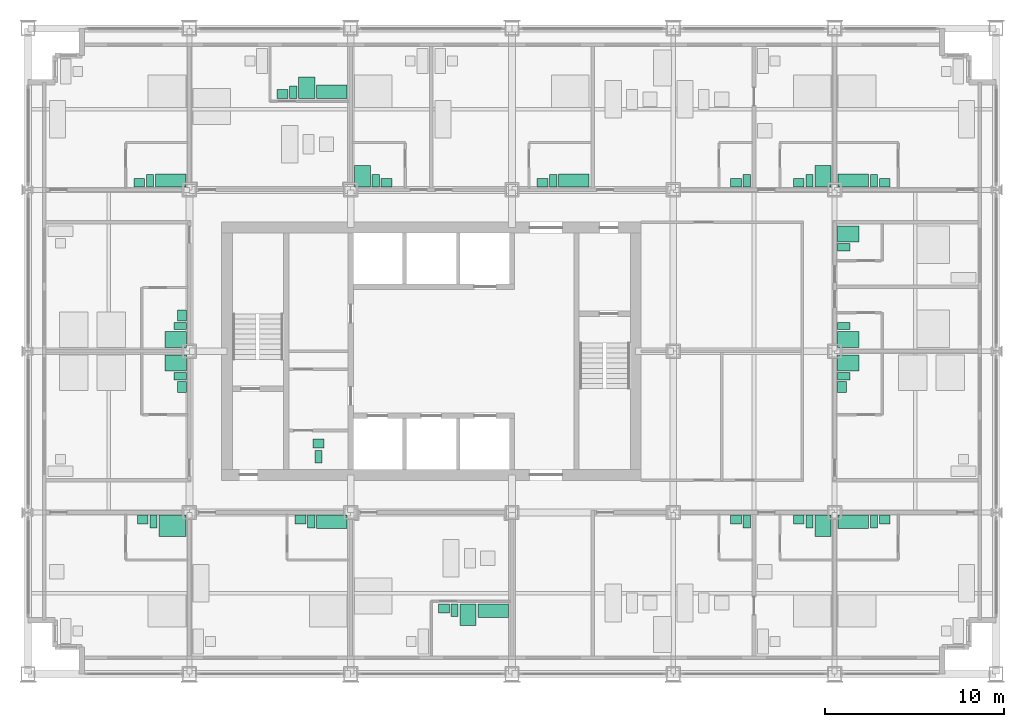
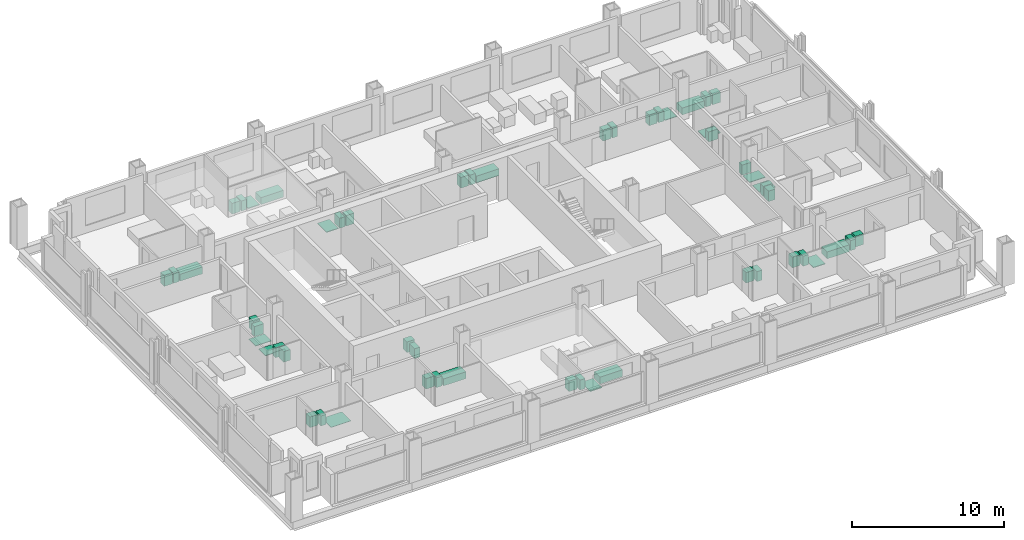
# One storey, part 17 of 18: 54 sanitary terminals.
"""IFC4 building model written with IfcOpenShell, lengths in metres."""

from ifc_helpers import new_model, si_unit, direction, frame, origin, origin_2d, place, context, subcontext, project, spatial, rectangle, extrude, element, save


model = new_model("IFC4")

# Units and contexts
model_context = context("Model", 3, precision=1e-05, world=origin(), true_north=direction((0.0, 1.0)))
body_context = subcontext(model_context, "Body", "Model", "MODEL_VIEW")
ifc_project = project(units=[si_unit("LENGTHUNIT", "METRE"), si_unit("AREAUNIT", "SQUARE_METRE"), si_unit("VOLUMEUNIT", "CUBIC_METRE"), si_unit("PLANEANGLEUNIT", "RADIAN"), si_unit("MASSUNIT", "GRAM", prefix="KILO")], contexts=[model_context])

# Site, building, storey
site_placement = place(None, origin())
site = spatial("IfcSite", under=ifc_project, at=site_placement, CompositionType="ELEMENT")
building_placement = place(site_placement, origin())
building = spatial("IfcBuilding", under=site, at=building_placement, Name="Loomwork Tower", CompositionType="ELEMENT")
storey_placement = place(building_placement, frame((0.0, 0.0, 72.199951171875)))
storey = spatial("IfcBuildingStorey", under=building, at=storey_placement, Name="L18", CompositionType="ELEMENT", Elevation=72.199951171875)

# Sanitary terminals
sanitary_terminal_1_placement = place(storey_placement, frame((8.050048828125, 8.25, 0.0), z_axis=(0.0, 0.0, 1.0), x_axis=(1.0, 0.0, 0.0)))
element("IfcSanitaryTerminal", 1, at=sanitary_terminal_1_placement, inside=storey, Name="Roll-in shower floor L18", PredefinedType="SHOWER", context=body_context, shape_type="SweptSolid", body=[
    extrude(rectangle(XDim=1.5, YDim=1.199951171875, at=origin_2d()), origin(), (0.0, 0.0, 1.0), 0.030029296875),
])
sanitary_terminal_2_placement = place(storey_placement, frame((7.0, 8.5, 0.0), z_axis=(0.0, 0.0, 1.0), x_axis=(1.0, 0.0, 0.0)))
element("IfcSanitaryTerminal", 2, at=sanitary_terminal_2_placement, inside=storey, Name="WC L18", PredefinedType="TOILETPAN", context=body_context, shape_type="SweptSolid", body=[
    extrude(rectangle(XDim=0.39990234375, YDim=0.699951171875, at=origin_2d()), origin(), (0.0, 0.0, 1.0), 0.800048828125),
])
sanitary_terminal_3_placement = place(storey_placement, frame((6.39990234375, 8.60009765625, 0.0), z_axis=(0.0, 0.0, 1.0), x_axis=(1.0, 0.0, 0.0)))
element("IfcSanitaryTerminal", 3, at=sanitary_terminal_3_placement, inside=storey, Name="Basin vanity L18", PredefinedType="WASHHANDBASIN", context=body_context, shape_type="SweptSolid", body=[
    extrude(rectangle(XDim=0.60009765625, YDim=0.5, at=origin_2d()), origin(), (0.0, 0.0, 1.0), 0.85009765625),
])
sanitary_terminal_4_placement = place(storey_placement, frame((16.949951171875, 8.47509765625, 0.0), z_axis=(0.0, 0.0, 1.0), x_axis=(1.0, 0.0, 0.0)))
element("IfcSanitaryTerminal", 4, at=sanitary_terminal_4_placement, inside=storey, Name="Bath L18", PredefinedType="BATH", context=body_context, shape_type="SweptSolid", body=[
    extrude(rectangle(XDim=1.699951171875, YDim=0.75, at=origin_2d()), origin(), (0.0, 0.0, 1.0), 0.550048828125),
])
sanitary_terminal_5_placement = place(storey_placement, frame((15.800048828125, 8.5, 0.0), z_axis=(0.0, 0.0, 1.0), x_axis=(1.0, 0.0, 0.0)))
element("IfcSanitaryTerminal", 5, at=sanitary_terminal_5_placement, inside=storey, Name="WC L18", PredefinedType="TOILETPAN", context=body_context, shape_type="SweptSolid", body=[
    extrude(rectangle(XDim=0.39990234375, YDim=0.699951171875, at=origin_2d()), origin(), (0.0, 0.0, 1.0), 0.800048828125),
])
sanitary_terminal_6_placement = place(storey_placement, frame((15.199951171875, 8.60009765625, 0.0), z_axis=(0.0, 0.0, 1.0), x_axis=(1.0, 0.0, 0.0)))
element("IfcSanitaryTerminal", 6, at=sanitary_terminal_6_placement, inside=storey, Name="Basin vanity L18", PredefinedType="WASHHANDBASIN", context=body_context, shape_type="SweptSolid", body=[
    extrude(rectangle(XDim=0.60009765625, YDim=0.5, at=origin_2d()), origin(), (0.0, 0.0, 1.0), 0.85009765625),
])
sanitary_terminal_7_placement = place(storey_placement, frame((25.949951171875, 3.52490234375, 0.0), z_axis=(0.0, 0.0, 1.0), x_axis=(1.0, 0.0, 0.0)))
element("IfcSanitaryTerminal", 7, at=sanitary_terminal_7_placement, inside=storey, Name="Bath L18", PredefinedType="BATH", context=body_context, shape_type="SweptSolid", body=[
    extrude(rectangle(XDim=1.699951171875, YDim=0.75, at=origin_2d()), origin(), (0.0, 0.0, 1.0), 0.550048828125),
])
sanitary_terminal_8_placement = place(storey_placement, frame((24.550048828125, 3.300048828125, 0.0), z_axis=(0.0, 0.0, 1.0), x_axis=(1.0, 0.0, 0.0)))
element("IfcSanitaryTerminal", 8, at=sanitary_terminal_8_placement, inside=storey, Name="Shower tray L18", PredefinedType="SHOWER", context=body_context, shape_type="SweptSolid", body=[
    extrude(rectangle(XDim=0.89990234375, YDim=1.199951171875, at=origin_2d()), origin(), (0.0, 0.0, 1.0), 0.050048828125),
])
sanitary_terminal_9_placement = place(storey_placement, frame((23.800048828125, 3.550048828125, 0.0), z_axis=(0.0, 0.0, 1.0), x_axis=(1.0, 0.0, 0.0)))
element("IfcSanitaryTerminal", 9, at=sanitary_terminal_9_placement, inside=storey, Name="WC L18", PredefinedType="TOILETPAN", context=body_context, shape_type="SweptSolid", body=[
    extrude(rectangle(XDim=0.39990234375, YDim=0.699951171875, at=origin_2d()), origin(), (0.0, 0.0, 1.0), 0.800048828125),
])
sanitary_terminal_10_placement = place(storey_placement, frame((23.199951171875, 3.64990234375, 0.0), z_axis=(0.0, 0.0, 1.0), x_axis=(1.0, 0.0, 0.0)))
element("IfcSanitaryTerminal", 10, at=sanitary_terminal_10_placement, inside=storey, Name="Basin vanity L18", PredefinedType="WASHHANDBASIN", context=body_context, shape_type="SweptSolid", body=[
    extrude(rectangle(XDim=0.60009765625, YDim=0.5, at=origin_2d()), origin(), (0.0, 0.0, 1.0), 0.85009765625),
])
sanitary_terminal_11_placement = place(storey_placement, frame((40.10009765625, 8.5, 0.0), z_axis=(0.0, 0.0, 1.0), x_axis=(1.0, 0.0, 0.0)))
element("IfcSanitaryTerminal", 11, at=sanitary_terminal_11_placement, inside=storey, Name="WC L18", PredefinedType="TOILETPAN", context=body_context, shape_type="SweptSolid", body=[
    extrude(rectangle(XDim=0.39990234375, YDim=0.699951171875, at=origin_2d()), origin(), (0.0, 0.0, 1.0), 0.800048828125),
])
sanitary_terminal_12_placement = place(storey_placement, frame((39.5, 8.60009765625, 0.0), z_axis=(0.0, 0.0, 1.0), x_axis=(1.0, 0.0, 0.0)))
element("IfcSanitaryTerminal", 12, at=sanitary_terminal_12_placement, inside=storey, Name="Basin vanity L18", PredefinedType="WASHHANDBASIN", context=body_context, shape_type="SweptSolid", body=[
    extrude(rectangle(XDim=0.60009765625, YDim=0.5, at=origin_2d()), origin(), (0.0, 0.0, 1.0), 0.85009765625),
])
sanitary_terminal_13_placement = place(storey_placement, frame((44.35009765625, 8.25, 0.0), z_axis=(0.0, 0.0, 1.0), x_axis=(1.0, 0.0, 0.0)))
element("IfcSanitaryTerminal", 13, at=sanitary_terminal_13_placement, inside=storey, Name="Shower tray L18", PredefinedType="SHOWER", context=body_context, shape_type="SweptSolid", body=[
    extrude(rectangle(XDim=0.89990234375, YDim=1.199951171875, at=origin_2d()), origin(), (0.0, 0.0, 1.0), 0.050048828125),
])
sanitary_terminal_14_placement = place(storey_placement, frame((43.60009765625, 8.5, 0.0), z_axis=(0.0, 0.0, 1.0), x_axis=(1.0, 0.0, 0.0)))
element("IfcSanitaryTerminal", 14, at=sanitary_terminal_14_placement, inside=storey, Name="WC L18", PredefinedType="TOILETPAN", context=body_context, shape_type="SweptSolid", body=[
    extrude(rectangle(XDim=0.39990234375, YDim=0.699951171875, at=origin_2d()), origin(), (0.0, 0.0, 1.0), 0.800048828125),
])
sanitary_terminal_15_placement = place(storey_placement, frame((43.0, 8.60009765625, 0.0), z_axis=(0.0, 0.0, 1.0), x_axis=(1.0, 0.0, 0.0)))
element("IfcSanitaryTerminal", 15, at=sanitary_terminal_15_placement, inside=storey, Name="Basin vanity L18", PredefinedType="WASHHANDBASIN", context=body_context, shape_type="SweptSolid", body=[
    extrude(rectangle(XDim=0.60009765625, YDim=0.5, at=origin_2d()), origin(), (0.0, 0.0, 1.0), 0.85009765625),
])
sanitary_terminal_16_placement = place(storey_placement, frame((46.050048828125, 8.47509765625, 0.0), z_axis=(0.0, 0.0, 1.0), x_axis=(1.0, 0.0, 0.0)))
element("IfcSanitaryTerminal", 16, at=sanitary_terminal_16_placement, inside=storey, Name="Bath L18", PredefinedType="BATH", context=body_context, shape_type="SweptSolid", body=[
    extrude(rectangle(XDim=1.699951171875, YDim=0.75, at=origin_2d()), origin(), (0.0, 0.0, 1.0), 0.550048828125),
])
sanitary_terminal_17_placement = place(storey_placement, frame((47.199951171875, 8.5, 0.0), z_axis=(0.0, 0.0, 1.0), x_axis=(1.0, 0.0, 0.0)))
element("IfcSanitaryTerminal", 17, at=sanitary_terminal_17_placement, inside=storey, Name="WC L18", PredefinedType="TOILETPAN", context=body_context, shape_type="SweptSolid", body=[
    extrude(rectangle(XDim=0.39990234375, YDim=0.699951171875, at=origin_2d()), origin(), (0.0, 0.0, 1.0), 0.800048828125),
])
sanitary_terminal_18_placement = place(storey_placement, frame((47.800048828125, 8.60009765625, 0.0), z_axis=(0.0, 0.0, 1.0), x_axis=(1.0, 0.0, 0.0)))
element("IfcSanitaryTerminal", 18, at=sanitary_terminal_18_placement, inside=storey, Name="Basin vanity L18", PredefinedType="WASHHANDBASIN", context=body_context, shape_type="SweptSolid", body=[
    extrude(rectangle(XDim=0.60009765625, YDim=0.5, at=origin_2d()), origin(), (0.0, 0.0, 1.0), 0.85009765625),
])
sanitary_terminal_19_placement = place(storey_placement, frame((7.949951171875, 27.52490234375, 0.0), z_axis=(0.0, 0.0, 1.0), x_axis=(1.0, 0.0, 0.0)))
element("IfcSanitaryTerminal", 19, at=sanitary_terminal_19_placement, inside=storey, Name="Bath L18", PredefinedType="BATH", context=body_context, shape_type="SweptSolid", body=[
    extrude(rectangle(XDim=1.699951171875, YDim=0.75, at=origin_2d()), origin(), (0.0, 0.0, 1.0), 0.550048828125),
])
sanitary_terminal_20_placement = place(storey_placement, frame((6.800048828125, 27.5, 0.0), z_axis=(0.0, 0.0, 1.0), x_axis=(1.0, 0.0, 0.0)))
element("IfcSanitaryTerminal", 20, at=sanitary_terminal_20_placement, inside=storey, Name="WC L18", PredefinedType="TOILETPAN", context=body_context, shape_type="SweptSolid", body=[
    extrude(rectangle(XDim=0.39990234375, YDim=0.699951171875, at=origin_2d()), origin(), (0.0, 0.0, 1.0), 0.800048828125),
])
sanitary_terminal_21_placement = place(storey_placement, frame((6.199951171875, 27.39990234375, 0.0), z_axis=(0.0, 0.0, 1.0), x_axis=(1.0, 0.0, 0.0)))
element("IfcSanitaryTerminal", 21, at=sanitary_terminal_21_placement, inside=storey, Name="Basin vanity L18", PredefinedType="WASHHANDBASIN", context=body_context, shape_type="SweptSolid", body=[
    extrude(rectangle(XDim=0.60009765625, YDim=0.5, at=origin_2d()), origin(), (0.0, 0.0, 1.0), 0.85009765625),
])
sanitary_terminal_22_placement = place(storey_placement, frame((16.949951171875, 32.47509765625, 0.0), z_axis=(0.0, 0.0, 1.0), x_axis=(1.0, 0.0, 0.0)))
element("IfcSanitaryTerminal", 22, at=sanitary_terminal_22_placement, inside=storey, Name="Bath L18", PredefinedType="BATH", context=body_context, shape_type="SweptSolid", body=[
    extrude(rectangle(XDim=1.699951171875, YDim=0.75, at=origin_2d()), origin(), (0.0, 0.0, 1.0), 0.550048828125),
])
sanitary_terminal_23_placement = place(storey_placement, frame((15.550048828125, 32.699951171875, 0.0), z_axis=(0.0, 0.0, 1.0), x_axis=(1.0, 0.0, 0.0)))
element("IfcSanitaryTerminal", 23, at=sanitary_terminal_23_placement, inside=storey, Name="Shower tray L18", PredefinedType="SHOWER", context=body_context, shape_type="SweptSolid", body=[
    extrude(rectangle(XDim=0.89990234375, YDim=1.199951171875, at=origin_2d()), origin(), (0.0, 0.0, 1.0), 0.050048828125),
])
sanitary_terminal_24_placement = place(storey_placement, frame((14.800048828125, 32.449951171875, 0.0), z_axis=(0.0, 0.0, 1.0), x_axis=(1.0, 0.0, 0.0)))
element("IfcSanitaryTerminal", 24, at=sanitary_terminal_24_placement, inside=storey, Name="WC L18", PredefinedType="TOILETPAN", context=body_context, shape_type="SweptSolid", body=[
    extrude(rectangle(XDim=0.39990234375, YDim=0.699951171875, at=origin_2d()), origin(), (0.0, 0.0, 1.0), 0.800048828125),
])
sanitary_terminal_25_placement = place(storey_placement, frame((14.199951171875, 32.35009765625, 0.0), z_axis=(0.0, 0.0, 1.0), x_axis=(1.0, 0.0, 0.0)))
element("IfcSanitaryTerminal", 25, at=sanitary_terminal_25_placement, inside=storey, Name="Basin vanity L18", PredefinedType="WASHHANDBASIN", context=body_context, shape_type="SweptSolid", body=[
    extrude(rectangle(XDim=0.60009765625, YDim=0.5, at=origin_2d()), origin(), (0.0, 0.0, 1.0), 0.85009765625),
])
sanitary_terminal_26_placement = place(storey_placement, frame((18.64990234375, 27.75, 0.0), z_axis=(0.0, 0.0, 1.0), x_axis=(1.0, 0.0, 0.0)))
element("IfcSanitaryTerminal", 26, at=sanitary_terminal_26_placement, inside=storey, Name="Shower tray L18", PredefinedType="SHOWER", context=body_context, shape_type="SweptSolid", body=[
    extrude(rectangle(XDim=0.89990234375, YDim=1.199951171875, at=origin_2d()), origin(), (0.0, 0.0, 1.0), 0.050048828125),
])
sanitary_terminal_27_placement = place(storey_placement, frame((19.39990234375, 27.5, 0.0), z_axis=(0.0, 0.0, 1.0), x_axis=(1.0, 0.0, 0.0)))
element("IfcSanitaryTerminal", 27, at=sanitary_terminal_27_placement, inside=storey, Name="WC L18", PredefinedType="TOILETPAN", context=body_context, shape_type="SweptSolid", body=[
    extrude(rectangle(XDim=0.39990234375, YDim=0.699951171875, at=origin_2d()), origin(), (0.0, 0.0, 1.0), 0.800048828125),
])
sanitary_terminal_28_placement = place(storey_placement, frame((20.0, 27.39990234375, 0.0), z_axis=(0.0, 0.0, 1.0), x_axis=(1.0, 0.0, 0.0)))
element("IfcSanitaryTerminal", 28, at=sanitary_terminal_28_placement, inside=storey, Name="Basin vanity L18", PredefinedType="WASHHANDBASIN", context=body_context, shape_type="SweptSolid", body=[
    extrude(rectangle(XDim=0.60009765625, YDim=0.5, at=origin_2d()), origin(), (0.0, 0.0, 1.0), 0.85009765625),
])
sanitary_terminal_29_placement = place(storey_placement, frame((30.449951171875, 27.52490234375, 0.0), z_axis=(0.0, 0.0, 1.0), x_axis=(1.0, 0.0, 0.0)))
element("IfcSanitaryTerminal", 29, at=sanitary_terminal_29_placement, inside=storey, Name="Bath L18", PredefinedType="BATH", context=body_context, shape_type="SweptSolid", body=[
    extrude(rectangle(XDim=1.699951171875, YDim=0.75, at=origin_2d()), origin(), (0.0, 0.0, 1.0), 0.550048828125),
])
sanitary_terminal_30_placement = place(storey_placement, frame((29.300048828125, 27.5, 0.0), z_axis=(0.0, 0.0, 1.0), x_axis=(1.0, 0.0, 0.0)))
element("IfcSanitaryTerminal", 30, at=sanitary_terminal_30_placement, inside=storey, Name="WC L18", PredefinedType="TOILETPAN", context=body_context, shape_type="SweptSolid", body=[
    extrude(rectangle(XDim=0.39990234375, YDim=0.699951171875, at=origin_2d()), origin(), (0.0, 0.0, 1.0), 0.800048828125),
])
sanitary_terminal_31_placement = place(storey_placement, frame((28.699951171875, 27.39990234375, 0.0), z_axis=(0.0, 0.0, 1.0), x_axis=(1.0, 0.0, 0.0)))
element("IfcSanitaryTerminal", 31, at=sanitary_terminal_31_placement, inside=storey, Name="Basin vanity L18", PredefinedType="WASHHANDBASIN", context=body_context, shape_type="SweptSolid", body=[
    extrude(rectangle(XDim=0.60009765625, YDim=0.5, at=origin_2d()), origin(), (0.0, 0.0, 1.0), 0.85009765625),
])
sanitary_terminal_32_placement = place(storey_placement, frame((40.10009765625, 27.5, 0.0), z_axis=(0.0, 0.0, 1.0), x_axis=(1.0, 0.0, 0.0)))
element("IfcSanitaryTerminal", 32, at=sanitary_terminal_32_placement, inside=storey, Name="WC L18", PredefinedType="TOILETPAN", context=body_context, shape_type="SweptSolid", body=[
    extrude(rectangle(XDim=0.39990234375, YDim=0.699951171875, at=origin_2d()), origin(), (0.0, 0.0, 1.0), 0.800048828125),
])
sanitary_terminal_33_placement = place(storey_placement, frame((39.5, 27.39990234375, 0.0), z_axis=(0.0, 0.0, 1.0), x_axis=(1.0, 0.0, 0.0)))
element("IfcSanitaryTerminal", 33, at=sanitary_terminal_33_placement, inside=storey, Name="Basin vanity L18", PredefinedType="WASHHANDBASIN", context=body_context, shape_type="SweptSolid", body=[
    extrude(rectangle(XDim=0.60009765625, YDim=0.5, at=origin_2d()), origin(), (0.0, 0.0, 1.0), 0.85009765625),
])
sanitary_terminal_34_placement = place(storey_placement, frame((44.35009765625, 27.75, 0.0), z_axis=(0.0, 0.0, 1.0), x_axis=(1.0, 0.0, 0.0)))
element("IfcSanitaryTerminal", 34, at=sanitary_terminal_34_placement, inside=storey, Name="Shower tray L18", PredefinedType="SHOWER", context=body_context, shape_type="SweptSolid", body=[
    extrude(rectangle(XDim=0.89990234375, YDim=1.199951171875, at=origin_2d()), origin(), (0.0, 0.0, 1.0), 0.050048828125),
])
sanitary_terminal_35_placement = place(storey_placement, frame((43.60009765625, 27.5, 0.0), z_axis=(0.0, 0.0, 1.0), x_axis=(1.0, 0.0, 0.0)))
element("IfcSanitaryTerminal", 35, at=sanitary_terminal_35_placement, inside=storey, Name="WC L18", PredefinedType="TOILETPAN", context=body_context, shape_type="SweptSolid", body=[
    extrude(rectangle(XDim=0.39990234375, YDim=0.699951171875, at=origin_2d()), origin(), (0.0, 0.0, 1.0), 0.800048828125),
])
sanitary_terminal_36_placement = place(storey_placement, frame((43.0, 27.39990234375, 0.0), z_axis=(0.0, 0.0, 1.0), x_axis=(1.0, 0.0, 0.0)))
element("IfcSanitaryTerminal", 36, at=sanitary_terminal_36_placement, inside=storey, Name="Basin vanity L18", PredefinedType="WASHHANDBASIN", context=body_context, shape_type="SweptSolid", body=[
    extrude(rectangle(XDim=0.60009765625, YDim=0.5, at=origin_2d()), origin(), (0.0, 0.0, 1.0), 0.85009765625),
])
sanitary_terminal_37_placement = place(storey_placement, frame((46.050048828125, 27.52490234375, 0.0), z_axis=(0.0, 0.0, 1.0), x_axis=(1.0, 0.0, 0.0)))
element("IfcSanitaryTerminal", 37, at=sanitary_terminal_37_placement, inside=storey, Name="Bath L18", PredefinedType="BATH", context=body_context, shape_type="SweptSolid", body=[
    extrude(rectangle(XDim=1.699951171875, YDim=0.75, at=origin_2d()), origin(), (0.0, 0.0, 1.0), 0.550048828125),
])
sanitary_terminal_38_placement = place(storey_placement, frame((47.199951171875, 27.5, 0.0), z_axis=(0.0, 0.0, 1.0), x_axis=(1.0, 0.0, 0.0)))
element("IfcSanitaryTerminal", 38, at=sanitary_terminal_38_placement, inside=storey, Name="WC L18", PredefinedType="TOILETPAN", context=body_context, shape_type="SweptSolid", body=[
    extrude(rectangle(XDim=0.39990234375, YDim=0.699951171875, at=origin_2d()), origin(), (0.0, 0.0, 1.0), 0.800048828125),
])
sanitary_terminal_39_placement = place(storey_placement, frame((47.800048828125, 27.39990234375, 0.0), z_axis=(0.0, 0.0, 1.0), x_axis=(1.0, 0.0, 0.0)))
element("IfcSanitaryTerminal", 39, at=sanitary_terminal_39_placement, inside=storey, Name="Basin vanity L18", PredefinedType="WASHHANDBASIN", context=body_context, shape_type="SweptSolid", body=[
    extrude(rectangle(XDim=0.60009765625, YDim=0.5, at=origin_2d()), origin(), (0.0, 0.0, 1.0), 0.85009765625),
])
sanitary_terminal_40_placement = place(storey_placement, frame((8.25, 17.35009765625, 0.0), z_axis=(0.0, 0.0, 1.0), x_axis=(1.0, 0.0, 0.0)))
element("IfcSanitaryTerminal", 40, at=sanitary_terminal_40_placement, inside=storey, Name="Shower tray L18", PredefinedType="SHOWER", context=body_context, shape_type="SweptSolid", body=[
    extrude(rectangle(XDim=1.199951171875, YDim=0.89990234375, at=origin_2d()), origin(), (0.0, 0.0, 1.0), 0.050048828125),
])
sanitary_terminal_41_placement = place(storey_placement, frame((8.5, 16.60009765625, 0.0), z_axis=(0.0, 0.0, 1.0), x_axis=(1.0, 0.0, 0.0)))
element("IfcSanitaryTerminal", 41, at=sanitary_terminal_41_placement, inside=storey, Name="WC L18", PredefinedType="TOILETPAN", context=body_context, shape_type="SweptSolid", body=[
    extrude(rectangle(XDim=0.699951171875, YDim=0.39990234375, at=origin_2d()), origin(), (0.0, 0.0, 1.0), 0.800048828125),
])
sanitary_terminal_42_placement = place(storey_placement, frame((8.60009765625, 16.0, 0.0), z_axis=(0.0, 0.0, 1.0), x_axis=(1.0, 0.0, 0.0)))
element("IfcSanitaryTerminal", 42, at=sanitary_terminal_42_placement, inside=storey, Name="Basin vanity L18", PredefinedType="WASHHANDBASIN", context=body_context, shape_type="SweptSolid", body=[
    extrude(rectangle(XDim=0.5, YDim=0.60009765625, at=origin_2d()), origin(), (0.0, 0.0, 1.0), 0.85009765625),
])
sanitary_terminal_43_placement = place(storey_placement, frame((8.25, 18.64990234375, 0.0), z_axis=(0.0, 0.0, 1.0), x_axis=(1.0, 0.0, 0.0)))
element("IfcSanitaryTerminal", 43, at=sanitary_terminal_43_placement, inside=storey, Name="Shower tray L18", PredefinedType="SHOWER", context=body_context, shape_type="SweptSolid", body=[
    extrude(rectangle(XDim=1.199951171875, YDim=0.89990234375, at=origin_2d()), origin(), (0.0, 0.0, 1.0), 0.050048828125),
])
sanitary_terminal_44_placement = place(storey_placement, frame((8.5, 19.39990234375, 0.0), z_axis=(0.0, 0.0, 1.0), x_axis=(1.0, 0.0, 0.0)))
element("IfcSanitaryTerminal", 44, at=sanitary_terminal_44_placement, inside=storey, Name="WC L18", PredefinedType="TOILETPAN", context=body_context, shape_type="SweptSolid", body=[
    extrude(rectangle(XDim=0.699951171875, YDim=0.39990234375, at=origin_2d()), origin(), (0.0, 0.0, 1.0), 0.800048828125),
])
sanitary_terminal_45_placement = place(storey_placement, frame((8.60009765625, 20.0, 0.0), z_axis=(0.0, 0.0, 1.0), x_axis=(1.0, 0.0, 0.0)))
element("IfcSanitaryTerminal", 45, at=sanitary_terminal_45_placement, inside=storey, Name="Basin vanity L18", PredefinedType="WASHHANDBASIN", context=body_context, shape_type="SweptSolid", body=[
    extrude(rectangle(XDim=0.5, YDim=0.60009765625, at=origin_2d()), origin(), (0.0, 0.0, 1.0), 0.85009765625),
])
sanitary_terminal_46_placement = place(storey_placement, frame((45.75, 17.35009765625, 0.0), z_axis=(0.0, 0.0, 1.0), x_axis=(1.0, 0.0, 0.0)))
element("IfcSanitaryTerminal", 46, at=sanitary_terminal_46_placement, inside=storey, Name="Shower tray L18", PredefinedType="SHOWER", context=body_context, shape_type="SweptSolid", body=[
    extrude(rectangle(XDim=1.199951171875, YDim=0.89990234375, at=origin_2d()), origin(), (0.0, 0.0, 1.0), 0.050048828125),
])
sanitary_terminal_47_placement = place(storey_placement, frame((45.5, 16.60009765625, 0.0), z_axis=(0.0, 0.0, 1.0), x_axis=(1.0, 0.0, 0.0)))
element("IfcSanitaryTerminal", 47, at=sanitary_terminal_47_placement, inside=storey, Name="WC L18", PredefinedType="TOILETPAN", context=body_context, shape_type="SweptSolid", body=[
    extrude(rectangle(XDim=0.699951171875, YDim=0.39990234375, at=origin_2d()), origin(), (0.0, 0.0, 1.0), 0.800048828125),
])
sanitary_terminal_48_placement = place(storey_placement, frame((45.39990234375, 16.0, 0.0), z_axis=(0.0, 0.0, 1.0), x_axis=(1.0, 0.0, 0.0)))
element("IfcSanitaryTerminal", 48, at=sanitary_terminal_48_placement, inside=storey, Name="Basin vanity L18", PredefinedType="WASHHANDBASIN", context=body_context, shape_type="SweptSolid", body=[
    extrude(rectangle(XDim=0.5, YDim=0.60009765625, at=origin_2d()), origin(), (0.0, 0.0, 1.0), 0.85009765625),
])
sanitary_terminal_49_placement = place(storey_placement, frame((45.75, 18.64990234375, 0.0), z_axis=(0.0, 0.0, 1.0), x_axis=(1.0, 0.0, 0.0)))
element("IfcSanitaryTerminal", 49, at=sanitary_terminal_49_placement, inside=storey, Name="Shower tray L18", PredefinedType="SHOWER", context=body_context, shape_type="SweptSolid", body=[
    extrude(rectangle(XDim=1.199951171875, YDim=0.89990234375, at=origin_2d()), origin(), (0.0, 0.0, 1.0), 0.050048828125),
])
sanitary_terminal_50_placement = place(storey_placement, frame((45.5, 19.39990234375, 0.0), z_axis=(0.0, 0.0, 1.0), x_axis=(1.0, 0.0, 0.0)))
element("IfcSanitaryTerminal", 50, at=sanitary_terminal_50_placement, inside=storey, Name="WC L18", PredefinedType="TOILETPAN", context=body_context, shape_type="SweptSolid", body=[
    extrude(rectangle(XDim=0.699951171875, YDim=0.39990234375, at=origin_2d()), origin(), (0.0, 0.0, 1.0), 0.800048828125),
])
sanitary_terminal_51_placement = place(storey_placement, frame((45.75, 24.550048828125, 0.0), z_axis=(0.0, 0.0, 1.0), x_axis=(1.0, 0.0, 0.0)))
element("IfcSanitaryTerminal", 51, at=sanitary_terminal_51_placement, inside=storey, Name="Shower tray L18", PredefinedType="SHOWER", context=body_context, shape_type="SweptSolid", body=[
    extrude(rectangle(XDim=1.199951171875, YDim=0.89990234375, at=origin_2d()), origin(), (0.0, 0.0, 1.0), 0.050048828125),
])
sanitary_terminal_52_placement = place(storey_placement, frame((45.5, 23.800048828125, 0.0), z_axis=(0.0, 0.0, 1.0), x_axis=(1.0, 0.0, 0.0)))
element("IfcSanitaryTerminal", 52, at=sanitary_terminal_52_placement, inside=storey, Name="WC L18", PredefinedType="TOILETPAN", context=body_context, shape_type="SweptSolid", body=[
    extrude(rectangle(XDim=0.699951171875, YDim=0.39990234375, at=origin_2d()), origin(), (0.0, 0.0, 1.0), 0.800048828125),
])
sanitary_terminal_53_placement = place(storey_placement, frame((16.199951171875, 12.10009765625, 0.0), z_axis=(0.0, 0.0, 1.0), x_axis=(1.0, 0.0, 0.0)))
element("IfcSanitaryTerminal", 53, at=sanitary_terminal_53_placement, inside=storey, Name="WC L18", PredefinedType="TOILETPAN", context=body_context, shape_type="SweptSolid", body=[
    extrude(rectangle(XDim=0.39990234375, YDim=0.699951171875, at=origin_2d()), origin(), (0.0, 0.0, 1.0), 0.800048828125),
])
sanitary_terminal_54_placement = place(storey_placement, frame((16.199951171875, 12.85009765625, 0.0), z_axis=(0.0, 0.0, 1.0), x_axis=(1.0, 0.0, 0.0)))
element("IfcSanitaryTerminal", 54, at=sanitary_terminal_54_placement, inside=storey, Name="Basin L18", PredefinedType="WASHHANDBASIN", context=body_context, shape_type="SweptSolid", body=[
    extrude(rectangle(XDim=0.60009765625, YDim=0.5, at=origin_2d()), origin(), (0.0, 0.0, 1.0), 0.85009765625),
])

save(model, "model.ifc")
